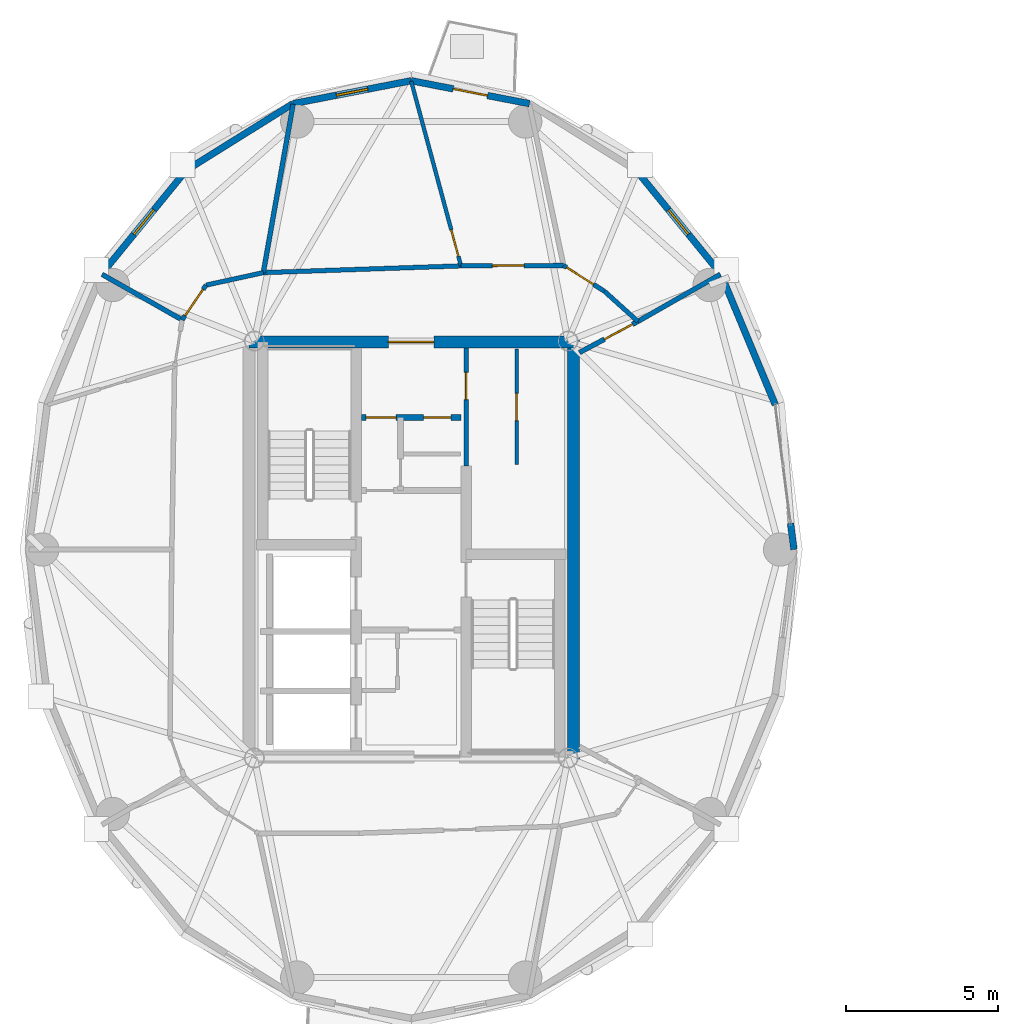
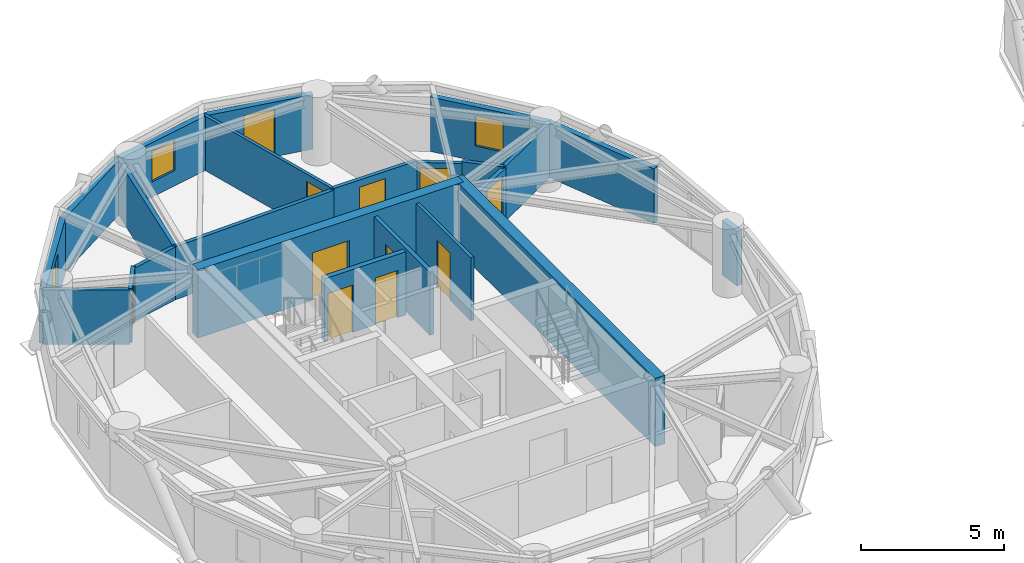
# One storey, part 9 of 16: 23 walls, 11 doors, 3 windows, 14 openings.
"""IFC4 building model written with IfcOpenShell, lengths in metres."""

from ifc_helpers import new_model, si_unit, direction, frame, frame_2d, origin, place, context, subcontext, project, spatial, rectangle, extrude, source, transform, mapped, material, layer, layer_set, type_object, element, fill, save


model = new_model("IFC4")

# Units and contexts
model_context = context("Model", 3, precision=1e-05, world=origin(), true_north=direction((0.0, 1.0)))
body_context = subcontext(model_context, "Body", "Model", "MODEL_VIEW")
ifc_project = project(units=[si_unit("LENGTHUNIT", "METRE"), si_unit("AREAUNIT", "SQUARE_METRE"), si_unit("VOLUMEUNIT", "CUBIC_METRE"), si_unit("PLANEANGLEUNIT", "RADIAN"), si_unit("MASSUNIT", "GRAM", prefix="KILO")], contexts=[model_context])

# Site, building, storey
site_placement = place(None, origin())
site = spatial("IfcSite", under=ifc_project, at=site_placement, CompositionType="ELEMENT")
building_placement = place(site_placement, origin())
building = spatial("IfcBuilding", under=site, at=building_placement, Name="Cununo Teusaquillo Station Towers", CompositionType="ELEMENT")
storey_placement = place(building_placement, frame((0.0, 0.0, 208.300048828125)))
storey = spatial("IfcBuildingStorey", under=building, at=storey_placement, Name="L66", CompositionType="ELEMENT", Elevation=208.300048828125)

# Wall
ifc_material_1 = material(Name="Concrete C50/60", Category="concrete")
ifc_layer_1 = layer(ifc_material_1, 0.39990234375)
ifc_layer_set_1 = layer_set([ifc_layer_1], Name="Concrete C50/60")
wall_type_1 = type_object("IfcWallType", Name="WL-CORE-400", PredefinedType="SHEAR", material=ifc_layer_set_1)
wall_1_placement = place(storey_placement, frame((21.85009765625, 17.449951171875, 0.0), z_axis=(0.0, 0.0, 1.0), x_axis=(0.0, 1.0, 0.0)))
element("IfcWall", 1, at=wall_1_placement, inside=storey, type_object=wall_type_1, Name="L66 Tower A Core Shear Wall E", PredefinedType="SHEAR", context=body_context, shape_type="SweptSolid", body=[
    extrude(rectangle(XDim=14.10009765625, YDim=0.39990234375, at=frame_2d((7.050048828125, 0.0))), origin(), (0.0, 0.0, 1.0), 2.909912109375),
])

# Wall, opening, door
wall_2_placement = place(storey_placement, frame((11.14990234375, 31.35009765625, 0.0), z_axis=(0.0, 0.0, 1.0), x_axis=(1.0, 0.0, 0.0)))
wall_2 = element("IfcWall", 2, at=wall_2_placement, inside=storey, type_object=wall_type_1, Name="L66 Tower A Core Shear Wall N", PredefinedType="SHEAR", context=body_context, shape_type="SweptSolid", body=[
    extrude(rectangle(XDim=10.7001953125, YDim=0.39990234375, at=frame_2d((5.35009765625, 0.0))), origin(), (0.0, 0.0, 1.0), 2.909912109375),
])
shared_shape_1 = source(origin(), body_context, "Body", "SweptSolid", [
    extrude(rectangle(XDim=1.5, YDim=2.02001953125, at=frame_2d((0.75, 1.010009765625))), frame((0.0, 0.2099609375, 0.0), z_axis=(0.0, -1.0, 0.0), x_axis=(1.0, 0.0, 0.0)), (0.0, 0.0, 1.0), 0.419921875),
])
opening_1_placement = place(wall_2_placement, frame((4.60009765625, 0.0, 0.0)))
opening_1 = element("IfcOpeningElement", 3, at=opening_1_placement, cuts=wall_2, Name="Opening D-LB1", PredefinedType="OPENING", context=body_context, shape_type="MappedRepresentation", body=[
    mapped(shared_shape_1, transform((0.0, 0.0, 0.0), x_axis=(1.0, 0.0, 0.0), y_axis=(0.0, 1.0, 0.0), z_axis=(0.0, 0.0, 1.0), scale=1.0)),
])
ifc_material_2 = material(Name="Galvanised fire-rated hollow steel door assembly", Category="steel")
door_type_1 = type_object("IfcDoorType", Name="DR-LOBBY-1500", OperationType="DOUBLE_DOOR_SINGLE_SWING", PredefinedType="DOOR", material=ifc_material_2)
shared_shape_2 = source(origin(), body_context, "Body", "SweptSolid", [
    extrude(rectangle(XDim=1.5, YDim=2.02001953125, at=frame_2d((0.75, 1.010009765625))), frame((0.0, 0.02490234375, 0.0), z_axis=(0.0, -1.0, 0.0), x_axis=(1.0, 0.0, 0.0)), (0.0, 0.0, 1.0), 0.050048828125),
])
door_1_placement = place(opening_1_placement, origin())
door_1 = element("IfcDoor", 4, at=door_1_placement, inside=storey, type_object=door_type_1, Name="L66 Tower A North Core Lift Lobby Door", OperationType="DOUBLE_DOOR_SINGLE_SWING", OverallHeight=2.02001953125, OverallWidth=1.5, PredefinedType="DOOR", context=body_context, shape_type="MappedRepresentation", body=[
    mapped(shared_shape_2, transform((0.0, 0.0, 0.0), x_axis=(1.0, 0.0, 0.0), y_axis=(0.0, 1.0, 0.0), z_axis=(0.0, 0.0, 1.0), scale=1.0)),
])
fill(opening_1, door_1)

# Walls
ifc_material_3 = material(Name="Precast concrete C40/50", Category="concrete")
ifc_layer_2 = layer(ifc_material_3, 0.219970703125)
ifc_layer_set_2 = layer_set([ifc_layer_2], Name="Precast concrete C40/50")
wall_type_2 = type_object("IfcWallType", Name="WL-EXT-220", PredefinedType="SOLIDWALL", material=ifc_layer_set_2)
wall_3_placement = place(storey_placement, frame((29.018310546875, 25.36279296875, 0.0), z_axis=(0.0, 0.0, 1.0), x_axis=(0.128247365719, -0.991742211054, 0.0)))
element("IfcWall", 5, at=wall_3_placement, inside=storey, type_object=wall_type_2, Name="L66 Tower A Column Pier Cladding Wall C00-PB", PredefinedType="SOLIDWALL", context=body_context, shape_type="SweptSolid", body=[
    extrude(rectangle(XDim=0.869873046875, YDim=0.219970703125, at=frame_2d((0.43505859375, 0.0))), origin(), (0.0, 0.0, 1.0), 2.322021484375),
])
wall_4_placement = place(storey_placement, frame((26.718017578125, 33.593017578125, 0.0), z_axis=(0.0, 0.0, 1.0), x_axis=(0.384036305194, -0.923317993052, 0.0)))
element("IfcWall", 6, at=wall_4_placement, inside=storey, type_object=wall_type_2, Name="L66 Tower A Exterior Facade Wall C01", PredefinedType="SOLIDWALL", context=body_context, shape_type="SweptSolid", body=[
    extrude(rectangle(XDim=4.670654296875, YDim=0.219970703125, at=frame_2d((2.33544921875, 0.0))), origin(), (0.0, 0.0, 1.0), 2.322021484375),
])

# Wall, opening, window
wall_5_placement = place(storey_placement, frame((23.923583984375, 37.015380859375, 0.0), z_axis=(0.0, 0.0, 1.0), x_axis=(0.632467166636, -0.774587169483, 0.0)))
wall_5 = element("IfcWall", 7, at=wall_5_placement, inside=storey, type_object=wall_type_2, Name="L66 Tower A Exterior Facade Wall C02", PredefinedType="SOLIDWALL", context=body_context, shape_type="SweptSolid", body=[
    extrude(rectangle(XDim=4.418212890625, YDim=0.219970703125, at=frame_2d((2.208984375, 0.0))), origin(), (0.0, 0.0, 1.0), 2.322021484375),
])
shared_shape_3 = source(origin(), body_context, "Body", "SweptSolid", [
    extrude(rectangle(XDim=1.050048828125, YDim=1.300048828125, at=frame_2d((0.52490234375, 0.64990234375))), frame((0.0, 0.119873046875, 0.0), z_axis=(0.0, -1.0, 0.0), x_axis=(1.0, 0.0, 0.0)), (0.0, 0.0, 1.0), 0.239990234375),
])
opening_2_placement = place(wall_5_placement, frame((1.68408203125, 0.0, 0.64990234375)))
opening_2 = element("IfcOpeningElement", 8, at=opening_2_placement, cuts=wall_5, Name="Opening WN-04", PredefinedType="OPENING", context=body_context, shape_type="MappedRepresentation", body=[
    mapped(shared_shape_3, transform((0.0, 0.0, 0.0), x_axis=(1.0, 0.0, 0.0), y_axis=(0.0, 1.0, 0.0), z_axis=(0.0, 0.0, 1.0), scale=1.0)),
])
ifc_material_4 = material(Name="Operable acoustic tinted low-E double glazing", Category="glass")
window_type = type_object("IfcWindowType", Name="WIN-BAL-1050", PartitioningType="SINGLE_PANEL", PredefinedType="WINDOW", material=ifc_material_4)
shared_shape_4 = source(origin(), body_context, "Body", "SweptSolid", [
    extrude(rectangle(XDim=1.050048828125, YDim=1.300048828125, at=frame_2d((0.52490234375, 0.64990234375))), frame((0.0, 0.030029296875, 0.0), z_axis=(0.0, -1.0, 0.0), x_axis=(1.0, 0.0, 0.0)), (0.0, 0.0, 1.0), 0.06005859375),
])
window_1_placement = place(opening_2_placement, origin())
window_1 = element("IfcWindow", 9, at=window_1_placement, inside=storey, type_object=window_type, Name="L66 Tower A Facade Window C02", OverallHeight=1.300048828125, OverallWidth=1.050048828125, PartitioningType="SINGLE_PANEL", PredefinedType="WINDOW", context=body_context, shape_type="MappedRepresentation", body=[
    mapped(shared_shape_4, transform((0.0, 0.0, 0.0), x_axis=(1.0, 0.0, 0.0), y_axis=(0.0, 1.0, 0.0), z_axis=(0.0, 0.0, 1.0), scale=1.0)),
])
fill(opening_2, window_1)

# Wall, opening, door
wall_6_placement = place(storey_placement, frame((16.5, 39.969970703125, 0.0), z_axis=(0.0, 0.0, 1.0), x_axis=(0.981700307484, -0.190432419211, 0.0)))
wall_6 = element("IfcWall", 10, at=wall_6_placement, inside=storey, type_object=wall_type_2, Name="L66 Tower A Exterior Facade Wall C04", PredefinedType="SOLIDWALL", context=body_context, shape_type="SweptSolid", body=[
    extrude(rectangle(XDim=3.9755859375, YDim=0.219970703125, at=frame_2d((1.98779296875, 0.0))), origin(), (0.0, 0.0, 1.0), 2.322021484375),
])
shared_shape_5 = source(origin(), body_context, "Body", "SweptSolid", [
    extrude(rectangle(XDim=1.14990234375, YDim=2.0048828125, at=frame_2d((0.574951171875, 1.00244140625))), frame((0.0, 0.119873046875, 0.0), z_axis=(0.0, -1.0, 0.0), x_axis=(1.0, 0.0, 0.0)), (0.0, 0.0, 1.0), 0.239990234375),
])
opening_3_placement = place(wall_6_placement, frame((1.4130859375, 0.0, 0.0)))
opening_3 = element("IfcOpeningElement", 11, at=opening_3_placement, cuts=wall_6, Name="Opening ED-03", PredefinedType="OPENING", context=body_context, shape_type="MappedRepresentation", body=[
    mapped(shared_shape_5, transform((0.0, 0.0, 0.0), x_axis=(1.0, 0.0, 0.0), y_axis=(0.0, 1.0, 0.0), z_axis=(0.0, 0.0, 1.0), scale=1.0)),
])
ifc_material_5 = material(Name="Anodised dark bronze aluminium EN AW-6063-T6", Category="aluminium")
door_type_2 = type_object("IfcDoorType", Name="DR-EXT-BAL", OperationType="NOTDEFINED", PredefinedType="DOOR", material=ifc_material_5)
shared_shape_6 = source(origin(), body_context, "Body", "SweptSolid", [
    extrude(rectangle(XDim=1.14990234375, YDim=2.0048828125, at=frame_2d((0.574951171875, 1.00244140625))), frame((0.0, 0.02490234375, 0.0), z_axis=(0.0, -1.0, 0.0), x_axis=(1.0, 0.0, 0.0)), (0.0, 0.0, 1.0), 0.050048828125),
])
door_2_placement = place(opening_3_placement, origin())
door_2 = element("IfcDoor", 12, at=door_2_placement, inside=storey, type_object=door_type_2, Name="L66 Tower A Tree Balcony Door C04", OperationType="SINGLE_SWING_LEFT", OverallHeight=2.0048828125, OverallWidth=1.14990234375, PredefinedType="DOOR", context=body_context, shape_type="MappedRepresentation", body=[
    mapped(shared_shape_6, transform((0.0, 0.0, 0.0), x_axis=(1.0, 0.0, 0.0), y_axis=(0.0, 1.0, 0.0), z_axis=(0.0, 0.0, 1.0), scale=1.0)),
])
fill(opening_3, door_2)

# Wall, opening, window
wall_7_placement = place(storey_placement, frame((12.59716796875, 39.212890625, 0.0), z_axis=(0.0, 0.0, 1.0), x_axis=(0.981700307484, 0.190432419211, 0.0)))
wall_7 = element("IfcWall", 13, at=wall_7_placement, inside=storey, type_object=wall_type_2, Name="L66 Tower A Exterior Facade Wall C05", PredefinedType="SOLIDWALL", context=body_context, shape_type="SweptSolid", body=[
    extrude(rectangle(XDim=3.9755859375, YDim=0.219970703125, at=frame_2d((1.98779296875, 0.0))), origin(), (0.0, 0.0, 1.0), 2.322021484375),
])
opening_4_placement = place(wall_7_placement, frame((1.462890625, 0.0, 0.64990234375)))
opening_4 = element("IfcOpeningElement", 14, at=opening_4_placement, cuts=wall_7, Name="Opening WN-04", PredefinedType="OPENING", context=body_context, shape_type="MappedRepresentation", body=[
    mapped(shared_shape_3, transform((0.0, 0.0, 0.0), x_axis=(1.0, 0.0, 0.0), y_axis=(0.0, 1.0, 0.0), z_axis=(0.0, 0.0, 1.0), scale=1.0)),
])
window_2_placement = place(opening_4_placement, origin())
window_2 = element("IfcWindow", 15, at=window_2_placement, inside=storey, type_object=window_type, Name="L66 Tower A Facade Window C05", OverallHeight=1.300048828125, OverallWidth=1.050048828125, PartitioningType="SINGLE_PANEL", PredefinedType="WINDOW", context=body_context, shape_type="MappedRepresentation", body=[
    mapped(shared_shape_4, transform((0.0, 0.0, 0.0), x_axis=(1.0, 0.0, 0.0), y_axis=(0.0, 1.0, 0.0), z_axis=(0.0, 0.0, 1.0), scale=1.0)),
])
fill(opening_4, window_2)

# Wall
wall_8_placement = place(storey_placement, frame((9.076416015625, 37.015380859375, 0.0), z_axis=(0.0, 0.0, 1.0), x_axis=(0.848318713376, 0.529485939886, 0.0)))
element("IfcWall", 16, at=wall_8_placement, inside=storey, type_object=wall_type_2, Name="L66 Tower A Exterior Facade Wall C06", PredefinedType="SOLIDWALL", context=body_context, shape_type="SweptSolid", body=[
    extrude(rectangle(XDim=4.150390625, YDim=0.219970703125, at=frame_2d((2.0751953125, 0.0))), origin(), (0.0, 0.0, 1.0), 2.322021484375),
])

# Wall, opening, window
wall_9_placement = place(storey_placement, frame((6.281982421875, 33.593017578125, 0.0), z_axis=(0.0, 0.0, 1.0), x_axis=(0.632467166636, 0.774587169483, 0.0)))
wall_9 = element("IfcWall", 17, at=wall_9_placement, inside=storey, type_object=wall_type_2, Name="L66 Tower A Exterior Facade Wall C07", PredefinedType="SOLIDWALL", context=body_context, shape_type="SweptSolid", body=[
    extrude(rectangle(XDim=4.418212890625, YDim=0.219970703125, at=frame_2d((2.208984375, 0.0))), origin(), (0.0, 0.0, 1.0), 2.322021484375),
])
opening_5_placement = place(wall_9_placement, frame((1.68408203125, 0.0, 0.64990234375)))
opening_5 = element("IfcOpeningElement", 18, at=opening_5_placement, cuts=wall_9, Name="Opening WN-04", PredefinedType="OPENING", context=body_context, shape_type="MappedRepresentation", body=[
    mapped(shared_shape_3, transform((0.0, 0.0, 0.0), x_axis=(1.0, 0.0, 0.0), y_axis=(0.0, 1.0, 0.0), z_axis=(0.0, 0.0, 1.0), scale=1.0)),
])
window_3_placement = place(opening_5_placement, origin())
window_3 = element("IfcWindow", 19, at=window_3_placement, inside=storey, type_object=window_type, Name="L66 Tower A Facade Window C07", OverallHeight=1.300048828125, OverallWidth=1.050048828125, PartitioningType="SINGLE_PANEL", PredefinedType="WINDOW", context=body_context, shape_type="MappedRepresentation", body=[
    mapped(shared_shape_4, transform((0.0, 0.0, 0.0), x_axis=(1.0, 0.0, 0.0), y_axis=(0.0, 1.0, 0.0), z_axis=(0.0, 0.0, 1.0), scale=1.0)),
])
fill(opening_5, window_3)

# Wall, opening, door
ifc_material_6 = material(Name="Fire-rated gypsum plasterboard partition assembly", Category="gypsum")
ifc_layer_3 = layer(ifc_material_6, 0.125)
ifc_layer_set_3 = layer_set([ifc_layer_3], Name="Fire-rated gypsum plasterboard partition assembly")
wall_type_3 = type_object("IfcWallType", Name="WL-PART-125", PredefinedType="PARTITIONING", material=ifc_layer_set_3)
wall_10_placement = place(storey_placement, frame((19.97998046875, 27.300048828125, 0.0), z_axis=(0.0, 0.0, 1.0), x_axis=(0.0, 1.0, 0.0)))
wall_10 = element("IfcWall", 20, at=wall_10_placement, inside=storey, type_object=wall_type_3, Name="L66 Tower A Reclaimed Bay Vertical Split Wall", PredefinedType="PARTITIONING", context=body_context, shape_type="SweptSolid", body=[
    extrude(rectangle(XDim=3.820068359375, YDim=0.125, at=frame_2d((1.91015625, 0.0))), origin(), (0.0, 0.0, 1.0), 2.68505859375),
])
shared_shape_7 = source(origin(), body_context, "Body", "SweptSolid", [
    extrude(rectangle(XDim=0.89990234375, YDim=2.0048828125, at=frame_2d((0.449951171875, 1.00244140625))), frame((0.0, 0.072509765625, 0.0), z_axis=(0.0, -1.0, 0.0), x_axis=(1.0, 0.0, 0.0)), (0.0, 0.0, 1.0), 0.14501953125),
])
opening_6_placement = place(wall_10_placement, frame((1.449951171875, 0.0, 0.0)))
opening_6 = element("IfcOpeningElement", 21, at=opening_6_placement, cuts=wall_10, Name="Opening D-IN1", PredefinedType="OPENING", context=body_context, shape_type="MappedRepresentation", body=[
    mapped(shared_shape_7, transform((0.0, 0.0, 0.0), x_axis=(1.0, 0.0, 0.0), y_axis=(0.0, 1.0, 0.0), z_axis=(0.0, 0.0, 1.0), scale=1.0)),
])
ifc_material_7 = material(Name="Acoustic solid-core hardwood leaf assembly", Category="wood")
door_type_3 = type_object("IfcDoorType", Name="DR-INT-900", OperationType="NOTDEFINED", PredefinedType="DOOR", material=ifc_material_7)
shared_shape_8 = source(origin(), body_context, "Body", "SweptSolid", [
    extrude(rectangle(XDim=0.89990234375, YDim=2.0048828125, at=frame_2d((0.449951171875, 1.00244140625))), frame((0.0, 0.02490234375, 0.0), z_axis=(0.0, -1.0, 0.0), x_axis=(1.0, 0.0, 0.0)), (0.0, 0.0, 1.0), 0.050048828125),
])
door_3_placement = place(opening_6_placement, origin())
door_3 = element("IfcDoor", 22, at=door_3_placement, inside=storey, type_object=door_type_3, Name="L66 Tower A Reclaimed Acoustic Booth Door", OperationType="SINGLE_SWING_RIGHT", OverallHeight=2.0048828125, OverallWidth=0.89990234375, PredefinedType="DOOR", context=body_context, shape_type="MappedRepresentation", body=[
    mapped(shared_shape_8, transform((0.0, 0.0, 0.0), x_axis=(1.0, 0.0, 0.0), y_axis=(0.0, 1.0, 0.0), z_axis=(0.0, 0.0, 1.0), scale=1.0)),
])
fill(opening_6, door_3)

wall_11_placement = place(storey_placement, frame((18.142822265625, 33.859619140625, 0.0), z_axis=(0.0, 0.0, 1.0), x_axis=(-0.260434252895, 0.965491584592, 0.0)))
wall_11 = element("IfcWall", 23, at=wall_11_placement, inside=storey, type_object=wall_type_3, Name="L66 Tower A International Arbitration Salon Suite Subdividing Wall", PredefinedType="PARTITIONING", context=body_context, shape_type="SweptSolid", body=[
    extrude(rectangle(XDim=6.30810546875, YDim=0.125, at=frame_2d((3.154052734375, 0.0))), origin(), (0.0, 0.0, 1.0), 2.322021484375),
])
opening_7_placement = place(wall_11_placement, frame((0.330078125, 0.0, 0.0)))
opening_7 = element("IfcOpeningElement", 24, at=opening_7_placement, cuts=wall_11, Name="Opening D-IN1", PredefinedType="OPENING", context=body_context, shape_type="MappedRepresentation", body=[
    mapped(shared_shape_7, transform((0.0, 0.0, 0.0), x_axis=(1.0, 0.0, 0.0), y_axis=(0.0, 1.0, 0.0), z_axis=(0.0, 0.0, 1.0), scale=1.0)),
])
door_4_placement = place(opening_7_placement, origin())
door_4 = element("IfcDoor", 25, at=door_4_placement, inside=storey, type_object=door_type_3, Name="L66 Tower A International Arbitration Salon Suite Connecting Door", OperationType="SINGLE_SWING_LEFT", OverallHeight=2.0048828125, OverallWidth=0.89990234375, PredefinedType="DOOR", context=body_context, shape_type="MappedRepresentation", body=[
    mapped(shared_shape_8, transform((0.0, 0.0, 0.0), x_axis=(1.0, 0.0, 0.0), y_axis=(0.0, 1.0, 0.0), z_axis=(0.0, 0.0, 1.0), scale=1.0)),
])
fill(opening_7, door_4)

# Wall
ifc_material_8 = material(Name="Fire-rated gypsum plasterboard partition assembly", Category="gypsum")
ifc_layer_4 = layer(ifc_material_8, 0.14990234375)
ifc_layer_set_4 = layer_set([ifc_layer_4], Name="Fire-rated gypsum plasterboard partition assembly")
wall_type_4 = type_object("IfcWallType", Name="WL-PART-150", PredefinedType="PARTITIONING", material=ifc_layer_set_4)
wall_12_placement = place(storey_placement, frame((23.979736328125, 32.02685546875, 0.0), z_axis=(0.0, 0.0, 1.0), x_axis=(-0.742353224332, 0.670008724065, 0.0)))
element("IfcWall", 26, at=wall_12_placement, inside=storey, type_object=wall_type_4, Name="L66 Tower A Corridor Ring Wall C02", PredefinedType="PARTITIONING", context=body_context, shape_type="SweptSolid", body=[
    extrude(rectangle(XDim=1.48486328125, YDim=0.14990234375, at=frame_2d((0.742431640625, 0.0))), origin(), (0.0, 0.0, 1.0), 2.322021484375),
])

# Wall, opening, door
wall_13_placement = place(storey_placement, frame((22.87744140625, 33.021728515625, 0.0), z_axis=(0.0, 0.0, 1.0), x_axis=(-0.845895608855, 0.533348496689, 0.0)))
wall_13 = element("IfcWall", 27, at=wall_13_placement, inside=storey, type_object=wall_type_4, Name="L66 Tower A Corridor Ring Wall C03", PredefinedType="PARTITIONING", context=body_context, shape_type="SweptSolid", body=[
    extrude(rectangle(XDim=1.5966796875, YDim=0.14990234375, at=frame_2d((0.79833984375, 0.0))), origin(), (0.0, 0.0, 1.0), 2.2548828125),
])
shared_shape_9 = source(origin(), body_context, "Body", "SweptSolid", [
    extrude(rectangle(XDim=1.050048828125, YDim=2.014892578125, at=frame_2d((0.52490234375, 1.00732421875))), frame((0.0, 0.0849609375, 0.0), z_axis=(0.0, -1.0, 0.0), x_axis=(1.0, 0.0, 0.0)), (0.0, 0.0, 1.0), 0.169921875),
])
opening_8_placement = place(wall_13_placement, frame((0.4267578125, 0.0, 0.0)))
opening_8 = element("IfcOpeningElement", 28, at=opening_8_placement, cuts=wall_13, Name="Opening D-SU1", PredefinedType="OPENING", context=body_context, shape_type="MappedRepresentation", body=[
    mapped(shared_shape_9, transform((0.0, 0.0, 0.0), x_axis=(1.0, 0.0, 0.0), y_axis=(0.0, 1.0, 0.0), z_axis=(0.0, 0.0, 1.0), scale=1.0)),
])
ifc_material_9 = material(Name="Acoustic solid-core hardwood leaf assembly", Category="wood")
door_type_4 = type_object("IfcDoorType", Name="DR-SUITE-1050", OperationType="NOTDEFINED", PredefinedType="DOOR", material=ifc_material_9)
shared_shape_10 = source(origin(), body_context, "Body", "SweptSolid", [
    extrude(rectangle(XDim=1.050048828125, YDim=2.014892578125, at=frame_2d((0.52490234375, 1.00732421875))), frame((0.0, 0.02490234375, 0.0), z_axis=(0.0, -1.0, 0.0), x_axis=(1.0, 0.0, 0.0)), (0.0, 0.0, 1.0), 0.050048828125),
])
door_5_placement = place(opening_8_placement, origin())
door_5 = element("IfcDoor", 29, at=door_5_placement, inside=storey, type_object=door_type_4, Name="L66 Tower A Andean Climate Foundation HQ Entrance Door", OperationType="SINGLE_SWING_LEFT", OverallHeight=2.014892578125, OverallWidth=1.050048828125, PredefinedType="DOOR", context=body_context, shape_type="MappedRepresentation", body=[
    mapped(shared_shape_10, transform((0.0, 0.0, 0.0), x_axis=(1.0, 0.0, 0.0), y_axis=(0.0, 1.0, 0.0), z_axis=(0.0, 0.0, 1.0), scale=1.0)),
])
fill(opening_8, door_5)

wall_14_placement = place(storey_placement, frame((21.52685546875, 33.873291015625, 0.0), z_axis=(0.0, 0.0, 1.0), x_axis=(-0.999991838845, -0.004040079574, 0.0)))
wall_14 = element("IfcWall", 30, at=wall_14_placement, inside=storey, type_object=wall_type_4, Name="L66 Tower A Corridor Ring Wall C04", PredefinedType="PARTITIONING", context=body_context, shape_type="SweptSolid", body=[
    extrude(rectangle(XDim=3.384033203125, YDim=0.14990234375, at=frame_2d((1.69189453125, 0.0))), origin(), (0.0, 0.0, 1.0), 2.322021484375),
])
opening_9_placement = place(wall_14_placement, frame((1.2978515625, 0.0, 0.0)))
opening_9 = element("IfcOpeningElement", 31, at=opening_9_placement, cuts=wall_14, Name="Opening D-SU1", PredefinedType="OPENING", context=body_context, shape_type="MappedRepresentation", body=[
    mapped(shared_shape_9, transform((0.0, 0.0, 0.0), x_axis=(1.0, 0.0, 0.0), y_axis=(0.0, 1.0, 0.0), z_axis=(0.0, 0.0, 1.0), scale=1.0)),
])
door_6_placement = place(opening_9_placement, origin())
door_6 = element("IfcDoor", 32, at=door_6_placement, inside=storey, type_object=door_type_4, Name="L66 Tower A International Arbitration Salon Entrance Door", OperationType="SINGLE_SWING_RIGHT", OverallHeight=2.014892578125, OverallWidth=1.050048828125, PredefinedType="DOOR", context=body_context, shape_type="MappedRepresentation", body=[
    mapped(shared_shape_10, transform((0.0, 0.0, 0.0), x_axis=(1.0, 0.0, 0.0), y_axis=(0.0, 1.0, 0.0), z_axis=(0.0, 0.0, 1.0), scale=1.0)),
])
fill(opening_9, door_6)

# Walls
wall_15_placement = place(storey_placement, frame((18.142822265625, 33.859619140625, 0.0), z_axis=(0.0, 0.0, 1.0), x_axis=(-0.999419208319, -0.034077060363, 0.0)))
element("IfcWall", 33, at=wall_15_placement, inside=storey, type_object=wall_type_4, Name="L66 Tower A Corridor Ring Wall C05", PredefinedType="PARTITIONING", context=body_context, shape_type="SweptSolid", body=[
    extrude(rectangle(XDim=6.52685546875, YDim=0.14990234375, at=frame_2d((3.263427734375, 0.0))), origin(), (0.0, 0.0, 1.0), 2.2548828125),
])
wall_16_placement = place(storey_placement, frame((11.619873046875, 33.63720703125, 0.0), z_axis=(0.0, 0.0, 1.0), x_axis=(-0.97702579435, -0.213121085711, 0.0)))
element("IfcWall", 34, at=wall_16_placement, inside=storey, type_object=wall_type_4, Name="L66 Tower A Corridor Ring Wall C06", PredefinedType="PARTITIONING", context=body_context, shape_type="SweptSolid", body=[
    extrude(rectangle(XDim=1.934814453125, YDim=0.14990234375, at=frame_2d((0.96728515625, 0.0))), origin(), (0.0, 0.0, 1.0), 2.2548828125),
])

# Wall, opening, door
wall_17_placement = place(storey_placement, frame((9.7294921875, 33.224853515625, 0.0), z_axis=(0.0, 0.0, 1.0), x_axis=(-0.567183649484, -0.82359134755, 0.0)))
wall_17 = element("IfcWall", 35, at=wall_17_placement, inside=storey, type_object=wall_type_4, Name="L66 Tower A Corridor Ring Wall C07", PredefinedType="PARTITIONING", context=body_context, shape_type="SweptSolid", body=[
    extrude(rectangle(XDim=1.39208984375, YDim=0.14990234375, at=frame_2d((0.696044921875, 0.0))), origin(), (0.0, 0.0, 1.0), 2.322021484375),
])
opening_10_placement = place(wall_17_placement, frame((0.1708984375, 0.0, 0.0)))
opening_10 = element("IfcOpeningElement", 36, at=opening_10_placement, cuts=wall_17, Name="Opening D-SU1", PredefinedType="OPENING", context=body_context, shape_type="MappedRepresentation", body=[
    mapped(shared_shape_9, transform((0.0, 0.0, 0.0), x_axis=(1.0, 0.0, 0.0), y_axis=(0.0, 1.0, 0.0), z_axis=(0.0, 0.0, 1.0), scale=1.0)),
])
door_7_placement = place(opening_10_placement, origin())
door_7 = element("IfcDoor", 37, at=door_7_placement, inside=storey, type_object=door_type_4, Name="L66 Tower A Senior Counsel Office Entrance Door", OperationType="SINGLE_SWING_RIGHT", OverallHeight=2.014892578125, OverallWidth=1.050048828125, PredefinedType="DOOR", context=body_context, shape_type="MappedRepresentation", body=[
    mapped(shared_shape_10, transform((0.0, 0.0, 0.0), x_axis=(1.0, 0.0, 0.0), y_axis=(0.0, 1.0, 0.0), z_axis=(0.0, 0.0, 1.0), scale=1.0)),
])
fill(opening_10, door_7)

ifc_material_10 = material(Name="Fire-rated gypsum plasterboard partition assembly", Category="gypsum")
ifc_layer_5 = layer(ifc_material_10, 0.159912109375)
ifc_layer_set_5 = layer_set([ifc_layer_5], Name="Fire-rated gypsum plasterboard partition assembly")
wall_type_5 = type_object("IfcWallType", Name="WL-PART-160", PredefinedType="PARTITIONING", material=ifc_layer_set_5)
wall_18_placement = place(storey_placement, frame((18.31494140625, 27.25, 0.0), z_axis=(0.0, 0.0, 1.0), x_axis=(0.0, 1.0, 0.0)))
wall_18 = element("IfcWall", 38, at=wall_18_placement, inside=storey, type_object=wall_type_5, Name="L66 Tower A Reclaimed Core Bay Entry Wall", PredefinedType="PARTITIONING", context=body_context, shape_type="SweptSolid", body=[
    extrude(rectangle(XDim=3.89990234375, YDim=0.159912109375, at=frame_2d((1.949951171875, 0.0))), origin(), (0.0, 0.0, 1.0), 2.68505859375),
])
shared_shape_11 = source(origin(), body_context, "Body", "SweptSolid", [
    extrude(rectangle(XDim=0.89990234375, YDim=2.0048828125, at=frame_2d((0.449951171875, 1.00244140625))), frame((0.0, 0.08984375, 0.0), z_axis=(0.0, -1.0, 0.0), x_axis=(1.0, 0.0, 0.0)), (0.0, 0.0, 1.0), 0.179931640625),
])
opening_11_placement = place(wall_18_placement, frame((2.199951171875, 0.0, 0.0)))
opening_11 = element("IfcOpeningElement", 39, at=opening_11_placement, cuts=wall_18, Name="Opening D-IN1", PredefinedType="OPENING", context=body_context, shape_type="MappedRepresentation", body=[
    mapped(shared_shape_11, transform((0.0, 0.0, 0.0), x_axis=(1.0, 0.0, 0.0), y_axis=(0.0, 1.0, 0.0), z_axis=(0.0, 0.0, 1.0), scale=1.0)),
])
door_8_placement = place(opening_11_placement, origin())
door_8 = element("IfcDoor", 40, at=door_8_placement, inside=storey, type_object=door_type_3, Name="L66 Tower A Reclaimed Meeting Room Door", OperationType="SINGLE_SWING_LEFT", OverallHeight=2.0048828125, OverallWidth=0.89990234375, PredefinedType="DOOR", context=body_context, shape_type="MappedRepresentation", body=[
    mapped(shared_shape_8, transform((0.0, 0.0, 0.0), x_axis=(1.0, 0.0, 0.0), y_axis=(0.0, 1.0, 0.0), z_axis=(0.0, 0.0, 1.0), scale=1.0)),
])
fill(opening_11, door_8)

# Walls
wall_19_placement = place(storey_placement, frame((23.979736328125, 32.02685546875, 0.0), z_axis=(0.0, 0.0, 1.0), x_axis=(0.868372526378, 0.495912447345, 0.0)))
element("IfcWall", 41, at=wall_19_placement, inside=storey, type_object=wall_type_5, Name="L66 Tower A Radial Suite Partition R01", PredefinedType="PARTITIONING", context=body_context, shape_type="SweptSolid", body=[
    extrude(rectangle(XDim=3.134521484375, YDim=0.159912109375, at=frame_2d((1.5673828125, 0.0))), origin(), (0.0, 0.0, 1.0), 2.322021484375),
])
wall_20_placement = place(storey_placement, frame((11.619873046875, 33.63720703125, 0.0), z_axis=(0.0, 0.0, 1.0), x_axis=(0.174269061361, 0.984698072636, 0.0)))
element("IfcWall", 42, at=wall_20_placement, inside=storey, type_object=wall_type_5, Name="L66 Tower A Radial Suite Partition R03", PredefinedType="PARTITIONING", context=body_context, shape_type="SweptSolid", body=[
    extrude(rectangle(XDim=5.64306640625, YDim=0.159912109375, at=frame_2d((2.821533203125, 0.0))), origin(), (0.0, 0.0, 1.0), 2.322021484375),
])
wall_21_placement = place(storey_placement, frame((8.93994140625, 32.078369140625, 0.0), z_axis=(0.0, 0.0, 1.0), x_axis=(-0.869170975588, 0.494511693689, 0.0)))
element("IfcWall", 43, at=wall_21_placement, inside=storey, type_object=wall_type_5, Name="L66 Tower A Radial Suite Partition R04", PredefinedType="PARTITIONING", context=body_context, shape_type="SweptSolid", body=[
    extrude(rectangle(XDim=3.039306640625, YDim=0.159912109375, at=frame_2d((1.51953125, 0.0))), origin(), (0.0, 0.0, 1.0), 2.322021484375),
])

# Wall, opening, door
wall_22_placement = place(storey_placement, frame((22.050048828125, 31.0, 0.0), z_axis=(0.0, 0.0, 1.0), x_axis=(0.882791584709, 0.469764853908, 0.0)))
wall_22 = element("IfcWall", 44, at=wall_22_placement, inside=storey, type_object=wall_type_5, Name="L66 Tower A East Salon Corridor Portal Wall NE", PredefinedType="PARTITIONING", context=body_context, shape_type="SweptSolid", body=[
    extrude(rectangle(XDim=2.185791015625, YDim=0.159912109375, at=frame_2d((1.0927734375, 0.0))), origin(), (0.0, 0.0, 1.0), 2.2548828125),
])
shared_shape_12 = source(origin(), body_context, "Body", "SweptSolid", [
    extrude(rectangle(XDim=1.050048828125, YDim=2.014892578125, at=frame_2d((0.52490234375, 1.00732421875))), frame((0.0, 0.08984375, 0.0), z_axis=(0.0, -1.0, 0.0), x_axis=(1.0, 0.0, 0.0)), (0.0, 0.0, 1.0), 0.179931640625),
])
opening_12_placement = place(wall_22_placement, frame((0.93603515625, 0.0, 0.0)))
opening_12 = element("IfcOpeningElement", 45, at=opening_12_placement, cuts=wall_22, Name="Opening D-SU1", PredefinedType="OPENING", context=body_context, shape_type="MappedRepresentation", body=[
    mapped(shared_shape_12, transform((0.0, 0.0, 0.0), x_axis=(1.0, 0.0, 0.0), y_axis=(0.0, 1.0, 0.0), z_axis=(0.0, 0.0, 1.0), scale=1.0)),
])
door_9_placement = place(opening_12_placement, origin())
door_9 = element("IfcDoor", 46, at=door_9_placement, inside=storey, type_object=door_type_4, Name="L66 Tower A East Panorama Sky Salon Door NE", OperationType="SINGLE_SWING_LEFT", OverallHeight=2.014892578125, OverallWidth=1.050048828125, PredefinedType="DOOR", context=body_context, shape_type="MappedRepresentation", body=[
    mapped(shared_shape_10, transform((0.0, 0.0, 0.0), x_axis=(1.0, 0.0, 0.0), y_axis=(0.0, 1.0, 0.0), z_axis=(0.0, 0.0, 1.0), scale=1.0)),
])
fill(opening_12, door_9)

# Wall, openings, doors
ifc_material_11 = material(Name="Fire-rated gypsum plasterboard partition assembly", Category="gypsum")
ifc_layer_6 = layer(ifc_material_11, 0.199951171875)
ifc_layer_set_6 = layer_set([ifc_layer_6], Name="Fire-rated gypsum plasterboard partition assembly")
wall_type_6 = type_object("IfcWallType", Name="WL-PART-200", PredefinedType="PARTITIONING", material=ifc_layer_set_6)
wall_23_placement = place(storey_placement, frame((14.860107421875, 28.85009765625, 0.0), z_axis=(0.0, 0.0, 1.0), x_axis=(1.0, 0.0, 0.0)))
wall_23 = element("IfcWall", 47, at=wall_23_placement, inside=storey, type_object=wall_type_6, Name="L66 Tower A North Lift Lobby South Fire Wall", PredefinedType="PARTITIONING", context=body_context, shape_type="SweptSolid", body=[
    extrude(rectangle(XDim=3.27978515625, YDim=0.199951171875, at=frame_2d((1.639892578125, 0.0))), origin(), (0.0, 0.0, 1.0), 2.68505859375),
])
shared_shape_13 = source(origin(), body_context, "Body", "SweptSolid", [
    extrude(rectangle(XDim=1.0, YDim=2.014892578125, at=frame_2d((0.5, 1.00732421875))), frame((0.0, 0.10986328125, 0.0), z_axis=(0.0, -1.0, 0.0), x_axis=(1.0, 0.0, 0.0)), (0.0, 0.0, 1.0), 0.219970703125),
])
opening_13_placement = place(wall_23_placement, frame((0.139892578125, 0.0, 0.0)))
opening_13 = element("IfcOpeningElement", 48, at=opening_13_placement, cuts=wall_23, Name="Opening D-AC1", PredefinedType="OPENING", context=body_context, shape_type="MappedRepresentation", body=[
    mapped(shared_shape_13, transform((0.0, 0.0, 0.0), x_axis=(1.0, 0.0, 0.0), y_axis=(0.0, 1.0, 0.0), z_axis=(0.0, 0.0, 1.0), scale=1.0)),
])
shared_shape_14 = source(origin(), body_context, "Body", "SweptSolid", [
    extrude(rectangle(XDim=0.89990234375, YDim=2.0048828125, at=frame_2d((0.449951171875, 1.00244140625))), frame((0.0, 0.10986328125, 0.0), z_axis=(0.0, -1.0, 0.0), x_axis=(1.0, 0.0, 0.0)), (0.0, 0.0, 1.0), 0.219970703125),
])
opening_14_placement = place(wall_23_placement, frame((2.050048828125, 0.0, 0.0)))
opening_14 = element("IfcOpeningElement", 49, at=opening_14_placement, cuts=wall_23, Name="Opening D-SR1", PredefinedType="OPENING", context=body_context, shape_type="MappedRepresentation", body=[
    mapped(shared_shape_14, transform((0.0, 0.0, 0.0), x_axis=(1.0, 0.0, 0.0), y_axis=(0.0, 1.0, 0.0), z_axis=(0.0, 0.0, 1.0), scale=1.0)),
])
ifc_material_12 = material(Name="Galvanised fire-rated hollow steel door assembly", Category="steel")
door_type_5 = type_object("IfcDoorType", Name="DR-STORE-900", OperationType="NOTDEFINED", PredefinedType="DOOR", material=ifc_material_12)
door_10_placement = place(opening_14_placement, origin())
door_10 = element("IfcDoor", 50, at=door_10_placement, inside=storey, type_object=door_type_5, Name="L66 Tower A Core Comms Room Door", OperationType="SINGLE_SWING_RIGHT", OverallHeight=2.0048828125, OverallWidth=0.89990234375, PredefinedType="DOOR", context=body_context, shape_type="MappedRepresentation", body=[
    mapped(shared_shape_8, transform((0.0, 0.0, 0.0), x_axis=(1.0, 0.0, 0.0), y_axis=(0.0, 1.0, 0.0), z_axis=(0.0, 0.0, 1.0), scale=1.0)),
])
fill(opening_14, door_10)
ifc_material_13 = material(Name="Acoustic solid-core hardwood leaf assembly", Category="wood")
door_type_6 = type_object("IfcDoorType", Name="DR-ACC-1000", OperationType="NOTDEFINED", PredefinedType="DOOR", material=ifc_material_13)
shared_shape_15 = source(origin(), body_context, "Body", "SweptSolid", [
    extrude(rectangle(XDim=1.0, YDim=2.014892578125, at=frame_2d((0.5, 1.00732421875))), frame((0.0, 0.02490234375, 0.0), z_axis=(0.0, -1.0, 0.0), x_axis=(1.0, 0.0, 0.0)), (0.0, 0.0, 1.0), 0.050048828125),
])
door_11_placement = place(opening_13_placement, origin())
door_11 = element("IfcDoor", 51, at=door_11_placement, inside=storey, type_object=door_type_6, Name="L66 Tower A North Lift Lobby to Stair 1 Vestibule Door", OperationType="SINGLE_SWING_LEFT", OverallHeight=2.014892578125, OverallWidth=1.0, PredefinedType="DOOR", context=body_context, shape_type="MappedRepresentation", body=[
    mapped(shared_shape_15, transform((0.0, 0.0, 0.0), x_axis=(1.0, 0.0, 0.0), y_axis=(0.0, 1.0, 0.0), z_axis=(0.0, 0.0, 1.0), scale=1.0)),
])
fill(opening_13, door_11)

save(model, "model.ifc")
